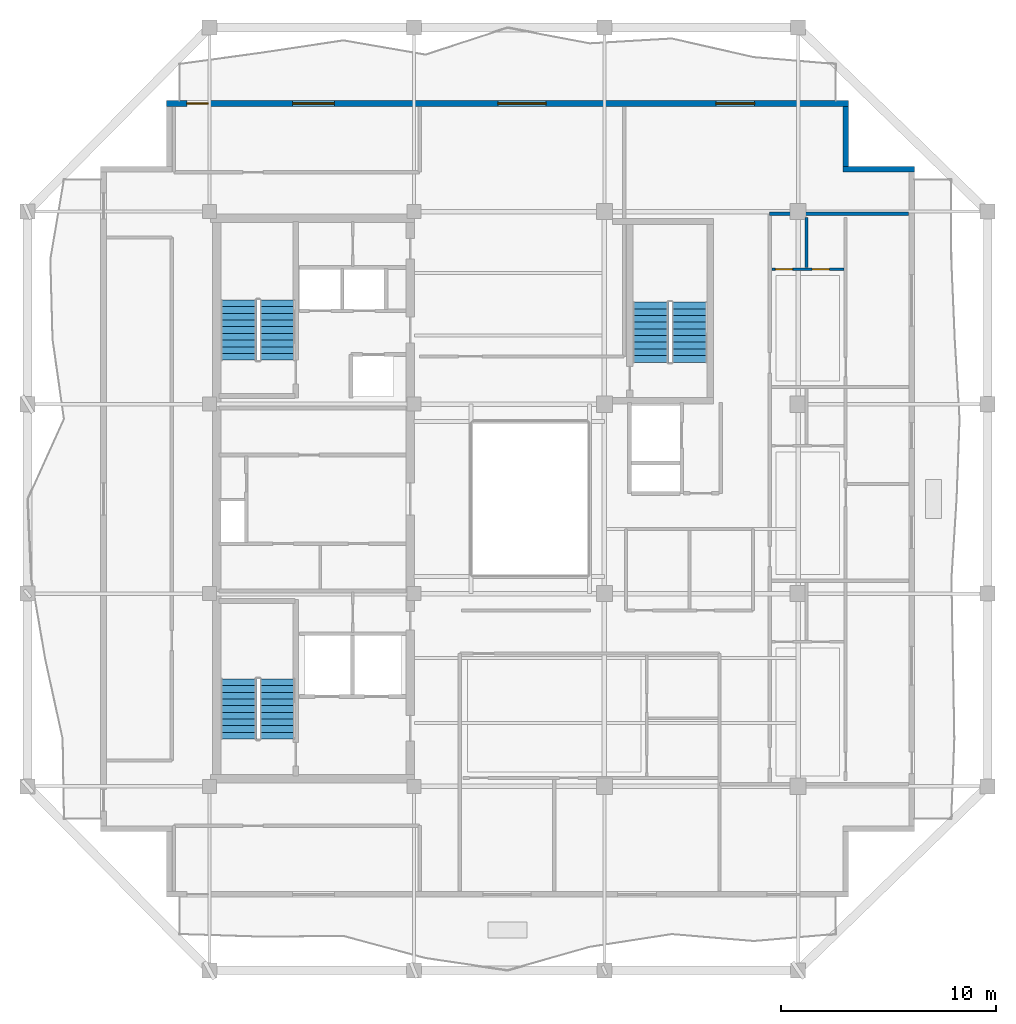
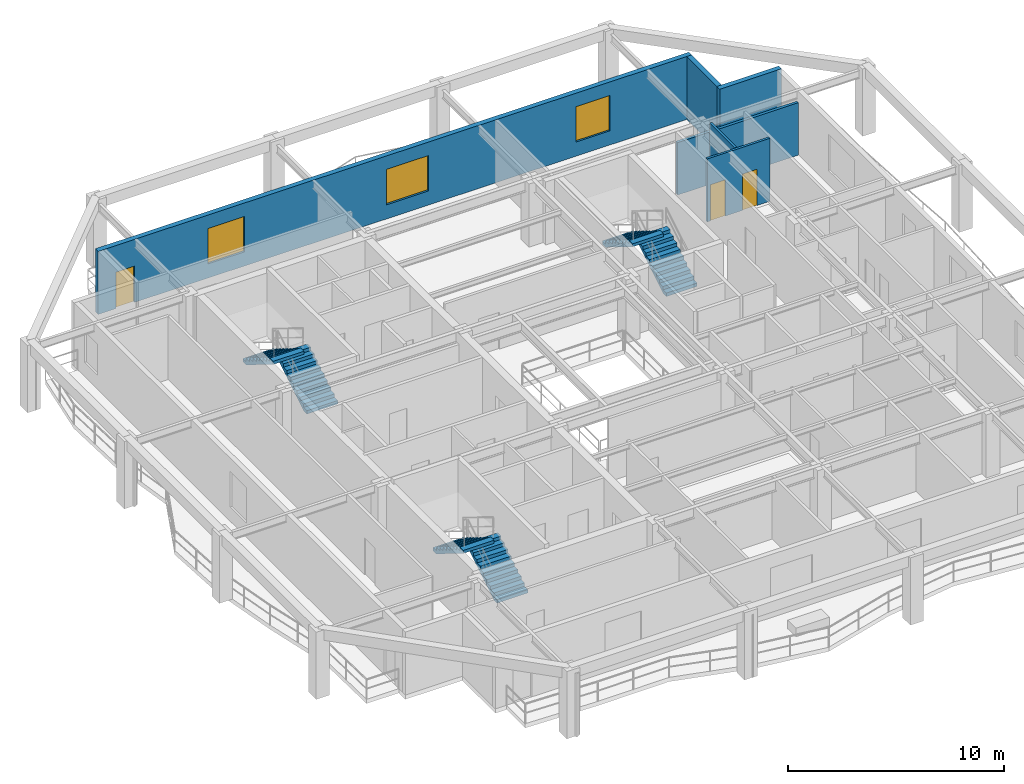
# One storey, part 6 of 10: 6 stair flights, 6 walls, 3 doors, 3 windows, 6 openings, 3 elements without a shape of their own.
"""IFC4 building model written with IfcOpenShell, lengths in metres."""

from ifc_helpers import new_model, si_unit, direction, frame, frame_2d, origin, place, context, subcontext, project, spatial, polyline, rectangle, outline, extrude, material, layer, layer_set, type_object, element, fill, aggregate, save


model = new_model("IFC4")

# Units and contexts
model_context = context("Model", 3, precision=1e-05, world=origin(), true_north=direction((0.0, 1.0)))
body_context = subcontext(model_context, "Body", "Model", "MODEL_VIEW")
ifc_project = project(units=[si_unit("LENGTHUNIT", "METRE"), si_unit("AREAUNIT", "SQUARE_METRE"), si_unit("VOLUMEUNIT", "CUBIC_METRE"), si_unit("PLANEANGLEUNIT", "RADIAN"), si_unit("MASSUNIT", "GRAM", prefix="KILO")], contexts=[model_context])

# Site, building, storey
site_placement = place(None, origin())
site = spatial("IfcSite", under=ifc_project, at=site_placement, CompositionType="ELEMENT")
building_placement = place(site_placement, origin())
building = spatial("IfcBuilding", under=site, at=building_placement, Name="Kundavana Baori Tower", CompositionType="ELEMENT")
storey_placement = place(building_placement, frame((0.0, 0.0, 320.10009765625)))
storey = spatial("IfcBuildingStorey", under=building, at=storey_placement, Name="L79", CompositionType="ELEMENT", Elevation=320.10009765625)

# Walls
ifc_material_1 = material(Name="Kiln-Fired Terracotta Brick-Slip Masonry on Concrete C40/50", Category="masonry")
ifc_layer_1 = layer(ifc_material_1, 0.260009765625, Name="WL-EXT-BRK-260")
ifc_layer_set_1 = layer_set([ifc_layer_1], Name="Kiln-Fired Terracotta Brick-Slip Masonry on Concrete C40/50")
wall_type_1 = type_object("IfcWallType", Name="WL-EXT-BRK-260", PredefinedType="SOLIDWALL", material=ifc_layer_set_1)
wall_1_placement = place(storey_placement, frame((48.199951171875, 43.919921875, 0.0), z_axis=(0.0, 0.0, 1.0), x_axis=(-1.0, 0.0, 0.0)))
element("IfcWall", 1, at=wall_1_placement, inside=storey, type_object=wall_type_1, Name="L79 Exterior Insulated Facade Wall 05", PredefinedType="SOLIDWALL", context=body_context, shape_type="SweptSolid", body=[
    extrude(rectangle(XDim=3.31005859375, YDim=0.260009765625, at=frame_2d((1.655029296875, 0.0))), origin(), (0.0, 0.0, 1.0), 3.559814453125),
])
wall_2_placement = place(storey_placement, frame((45.02001953125, 44.050048828125, 0.0), z_axis=(0.0, 0.0, 1.0), x_axis=(0.0, 1.0, 0.0)))
element("IfcWall", 2, at=wall_2_placement, inside=storey, type_object=wall_type_1, Name="L79 Exterior Insulated Facade Wall 06", PredefinedType="SOLIDWALL", context=body_context, shape_type="SweptSolid", body=[
    extrude(rectangle(XDim=2.7900390625, YDim=0.260009765625, at=frame_2d((1.39501953125, 0.0))), origin(), (0.0, 0.0, 1.0), 3.559814453125),
])

# Wall, openings, door, windows
wall_3_placement = place(storey_placement, frame((45.14990234375, 46.969970703125, 0.0), z_axis=(0.0, 0.0, 1.0), x_axis=(-1.0, 0.0, 0.0)))
wall_3 = element("IfcWall", 3, at=wall_3_placement, inside=storey, type_object=wall_type_1, Name="L79 Exterior Insulated Facade Wall 07", PredefinedType="SOLIDWALL", context=body_context, shape_type="SweptSolid", body=[
    extrude(rectangle(XDim=31.699951171875, YDim=0.260009765625, at=frame_2d((15.85009765625, 0.0))), origin(), (0.0, 0.0, 1.0), 3.559814453125),
])
opening_1_placement = place(wall_3_placement, frame((29.75, 0.0, 0.0)))
opening_1 = element("IfcOpeningElement", 4, at=opening_1_placement, cuts=wall_3, Name="Opening BD-1", PredefinedType="OPENING", context=body_context, shape_type="SweptSolid", body=[
    extrude(rectangle(XDim=1.0, YDim=2.050048828125, at=frame_2d((0.5, 1.02490234375))), frame((0.0, 0.14013671875, 0.0), z_axis=(0.0, -1.0, 0.0), x_axis=(1.0, 0.0, 0.0)), (0.0, 0.0, 1.0), 0.280029296875),
])
opening_2_placement = place(wall_3_placement, frame((23.889892578125, 0.0, 0.800048828125)))
opening_2 = element("IfcOpeningElement", 5, at=opening_2_placement, cuts=wall_3, Name="Opening W-09", PredefinedType="OPENING", context=body_context, shape_type="SweptSolid", body=[
    extrude(rectangle(XDim=1.949951171875, YDim=2.0, at=frame_2d((0.97509765625, 1.0))), frame((0.0, 0.14013671875, 0.0), z_axis=(0.0, -1.0, 0.0), x_axis=(1.0, 0.0, 0.0)), (0.0, 0.0, 1.0), 0.280029296875),
])
opening_3_placement = place(wall_3_placement, frame((14.054931640625, 0.0, 0.800048828125)))
opening_3 = element("IfcOpeningElement", 6, at=opening_3_placement, cuts=wall_3, Name="Opening W-10", PredefinedType="OPENING", context=body_context, shape_type="SweptSolid", body=[
    extrude(rectangle(XDim=2.25, YDim=2.0, at=frame_2d((1.125, 1.0))), frame((0.0, 0.14013671875, 0.0), z_axis=(0.0, -1.0, 0.0), x_axis=(1.0, 0.0, 0.0)), (0.0, 0.0, 1.0), 0.280029296875),
])
opening_4_placement = place(wall_3_placement, frame((4.3701171875, 0.0, 0.800048828125)))
opening_4 = element("IfcOpeningElement", 7, at=opening_4_placement, cuts=wall_3, Name="Opening W-01", PredefinedType="OPENING", context=body_context, shape_type="SweptSolid", body=[
    extrude(rectangle(XDim=1.800048828125, YDim=2.0, at=frame_2d((0.89990234375, 1.0))), frame((0.0, 0.14013671875, 0.0), z_axis=(0.0, -1.0, 0.0), x_axis=(1.0, 0.0, 0.0)), (0.0, 0.0, 1.0), 0.280029296875),
])
ifc_material_2 = material(Name="Architectural Patinated Bronze Metalwork")
door_type_1 = type_object("IfcDoorType", Name="DR-EXT-LOG-1000", OperationType="NOTDEFINED", PredefinedType="DOOR", material=ifc_material_2)
door_1_placement = place(opening_1_placement, frame((1.0, 0.0, 0.0), z_axis=(0.0, 0.0, 1.0), x_axis=(-1.0, 0.0, 0.0)))
door_1 = element("IfcDoor", 8, at=door_1_placement, inside=storey, type_object=door_type_1, Name="L79 Loggia Balcony Access Door N", OperationType="SINGLE_SWING_LEFT", OverallHeight=2.050048828125, OverallWidth=1.0, PredefinedType="DOOR", context=body_context, shape_type="SweptSolid", body=[
    extrude(rectangle(XDim=1.0, YDim=2.050048828125, at=frame_2d((0.5, 1.02490234375))), frame((0.0, 0.02490234375, 0.0), z_axis=(0.0, -1.0, 0.0), x_axis=(1.0, 0.0, 0.0)), (0.0, 0.0, 1.0), 0.050048828125),
])
fill(opening_1, door_1)
ifc_material_3 = material(Name="Double-Glazed Solar-Control Low-E Insulated Glass", Category="glass")
window_type_1 = type_object("IfcWindowType", Name="WIN-LOG-1800x2000", PartitioningType="SINGLE_PANEL", PredefinedType="WINDOW", material=ifc_material_3)
window_1_placement = place(opening_4_placement, origin())
window_1 = element("IfcWindow", 9, at=window_1_placement, inside=storey, type_object=window_type_1, Name="L79 Recessed Loggia Window N-3", OverallHeight=2.0, OverallWidth=1.800048828125, PartitioningType="SINGLE_PANEL", PredefinedType="WINDOW", context=body_context, shape_type="SweptSolid", body=[
    extrude(rectangle(XDim=1.800048828125, YDim=2.0, at=frame_2d((0.89990234375, 1.0))), frame((0.0, 0.030029296875, 0.0), z_axis=(0.0, -1.0, 0.0), x_axis=(1.0, 0.0, 0.0)), (0.0, 0.0, 1.0), 0.06005859375),
])
fill(opening_4, window_1)
ifc_material_4 = material(Name="Double-Glazed Solar-Control Low-E Insulated Glass", Category="glass")
window_type_2 = type_object("IfcWindowType", Name="WIN-LOG-1950x2000", PartitioningType="SINGLE_PANEL", PredefinedType="WINDOW", material=ifc_material_4)
window_2_placement = place(opening_2_placement, origin())
window_2 = element("IfcWindow", 10, at=window_2_placement, inside=storey, type_object=window_type_2, Name="L79 Recessed Loggia Window N-1", OverallHeight=2.0, OverallWidth=1.949951171875, PartitioningType="SINGLE_PANEL", PredefinedType="WINDOW", context=body_context, shape_type="SweptSolid", body=[
    extrude(rectangle(XDim=1.949951171875, YDim=2.0, at=frame_2d((0.97509765625, 1.0))), frame((0.0, 0.030029296875, 0.0), z_axis=(0.0, -1.0, 0.0), x_axis=(1.0, 0.0, 0.0)), (0.0, 0.0, 1.0), 0.06005859375),
])
fill(opening_2, window_2)
ifc_material_5 = material(Name="Double-Glazed Solar-Control Low-E Insulated Glass", Category="glass")
window_type_3 = type_object("IfcWindowType", Name="WIN-LOG-2250x2000", PartitioningType="SINGLE_PANEL", PredefinedType="WINDOW", material=ifc_material_5)
window_3_placement = place(opening_3_placement, origin())
window_3 = element("IfcWindow", 11, at=window_3_placement, inside=storey, type_object=window_type_3, Name="L79 Recessed Loggia Window N-2", OverallHeight=2.0, OverallWidth=2.25, PartitioningType="SINGLE_PANEL", PredefinedType="WINDOW", context=body_context, shape_type="SweptSolid", body=[
    extrude(rectangle(XDim=2.25, YDim=2.0, at=frame_2d((1.125, 1.0))), frame((0.0, 0.030029296875, 0.0), z_axis=(0.0, -1.0, 0.0), x_axis=(1.0, 0.0, 0.0)), (0.0, 0.0, 1.0), 0.06005859375),
])
fill(opening_3, window_3)

# Wall
ifc_material_6 = material(Name="Fire-Rated Gypsum Drywall on Galvanised Steel Studs", Category="steel")
ifc_layer_2 = layer(ifc_material_6, 0.14990234375, Name="WL-PART-150")
ifc_layer_set_2 = layer_set([ifc_layer_2], Name="Fire-Rated Gypsum Drywall on Galvanised Steel Studs")
wall_type_2 = type_object("IfcWallType", Name="WL-PART-150", PredefinedType="PARTITIONING", material=ifc_layer_set_2)
wall_4_placement = place(storey_placement, frame((41.47998046875, 41.85009765625, 0.0), z_axis=(0.0, 0.0, 1.0), x_axis=(1.0, 0.0, 0.0)))
element("IfcWall", 12, at=wall_4_placement, inside=storey, type_object=wall_type_2, Name="WL-L79-REN", PredefinedType="PARTITIONING", context=body_context, shape_type="SweptSolid", body=[
    extrude(rectangle(XDim=6.43994140625, YDim=0.14990234375, at=frame_2d((3.219970703125, 0.0))), origin(), (0.0, 0.0, 1.0), 2.9599609375),
])

# Wall, openings, doors
ifc_material_7 = material(Name="Autoclaved Aerated Concrete Blockwork Masonry", Category="masonry")
ifc_layer_3 = layer(ifc_material_7, 0.125, Name="WL-WET-120")
ifc_layer_set_3 = layer_set([ifc_layer_3], Name="Autoclaved Aerated Concrete Blockwork Masonry")
wall_type_3 = type_object("IfcWallType", Name="WL-WET-120", PredefinedType="PLUMBINGWALL", material=ifc_layer_set_3)
wall_5_placement = place(storey_placement, frame((41.580078125, 39.27001953125, 0.0), z_axis=(0.0, 0.0, 1.0), x_axis=(1.0, 0.0, 0.0)))
wall_5 = element("IfcWall", 13, at=wall_5_placement, inside=storey, type_object=wall_type_3, Name="WL-L79-E3-KH", PredefinedType="PLUMBINGWALL", context=body_context, shape_type="SweptSolid", body=[
    extrude(rectangle(XDim=3.343994140625, YDim=0.125, at=frame_2d((1.671875, 0.0))), origin(), (0.0, 0.0, 1.0), 3.559814453125),
])
opening_5_placement = place(wall_5_placement, frame((0.159912109375, 0.0, 0.0)))
opening_5 = element("IfcOpeningElement", 14, at=opening_5_placement, cuts=wall_5, Name="Opening WD-080", PredefinedType="OPENING", context=body_context, shape_type="SweptSolid", body=[
    extrude(rectangle(XDim=0.800048828125, YDim=2.050048828125, at=frame_2d((0.39990234375, 1.02490234375))), frame((0.0, 0.072509765625, 0.0), z_axis=(0.0, -1.0, 0.0), x_axis=(1.0, 0.0, 0.0)), (0.0, 0.0, 1.0), 0.14501953125),
])
opening_6_placement = place(wall_5_placement, frame((1.864990234375, 0.0, 0.0)))
opening_6 = element("IfcOpeningElement", 15, at=opening_6_placement, cuts=wall_5, Name="Opening WD-080", PredefinedType="OPENING", context=body_context, shape_type="SweptSolid", body=[
    extrude(rectangle(XDim=0.800048828125, YDim=2.050048828125, at=frame_2d((0.39990234375, 1.02490234375))), frame((0.0, 0.072509765625, 0.0), z_axis=(0.0, -1.0, 0.0), x_axis=(1.0, 0.0, 0.0)), (0.0, 0.0, 1.0), 0.14501953125),
])
ifc_material_8 = material(Name="Engineered Teak Solid-Core Timber Veneer", Category="wood")
door_type_2 = type_object("IfcDoorType", Name="DR-WET-800", OperationType="NOTDEFINED", PredefinedType="DOOR", material=ifc_material_8)
door_2_placement = place(opening_5_placement, origin())
door_2 = element("IfcDoor", 16, at=door_2_placement, inside=storey, type_object=door_type_2, Name="DR-L79-E3-BT", OperationType="SINGLE_SWING_LEFT", OverallHeight=2.050048828125, OverallWidth=0.800048828125, PredefinedType="DOOR", context=body_context, shape_type="SweptSolid", body=[
    extrude(rectangle(XDim=0.800048828125, YDim=2.050048828125, at=frame_2d((0.39990234375, 1.02490234375))), frame((0.0, 0.02490234375, 0.0), z_axis=(0.0, -1.0, 0.0), x_axis=(1.0, 0.0, 0.0)), (0.0, 0.0, 1.0), 0.050048828125),
])
fill(opening_5, door_2)
door_3_placement = place(opening_6_placement, origin())
door_3 = element("IfcDoor", 17, at=door_3_placement, inside=storey, type_object=door_type_2, Name="DR-L79-E3-KT", OperationType="SINGLE_SWING_RIGHT", OverallHeight=2.050048828125, OverallWidth=0.800048828125, PredefinedType="DOOR", context=body_context, shape_type="SweptSolid", body=[
    extrude(rectangle(XDim=0.800048828125, YDim=2.050048828125, at=frame_2d((0.39990234375, 1.02490234375))), frame((0.0, 0.02490234375, 0.0), z_axis=(0.0, -1.0, 0.0), x_axis=(1.0, 0.0, 0.0)), (0.0, 0.0, 1.0), 0.050048828125),
])
fill(opening_6, door_3)

# Wall
wall_6_placement = place(storey_placement, frame((43.18505859375, 39.35009765625, 0.0), z_axis=(0.0, 0.0, 1.0), x_axis=(0.0, 1.0, 0.0)))
element("IfcWall", 18, at=wall_6_placement, inside=storey, type_object=wall_type_3, Name="WL-L79-E3-BV", PredefinedType="PLUMBINGWALL", context=body_context, shape_type="SweptSolid", body=[
    extrude(rectangle(XDim=2.31982421875, YDim=0.125, at=frame_2d((1.159912109375, 0.0))), origin(), (0.0, 0.0, 1.0), 3.559814453125),
])

# Stair, stair flights
ifc_material_9 = material(Name="Concrete C40/50", Category="concrete")
stair_type = type_object("IfcStairType", Name="STR-DOG-1650", PredefinedType="HALF_TURN_STAIR", material=ifc_material_9)
stair_1_placement = place(storey_placement, origin())
stair_1 = element("IfcStair", 19, at=stair_1_placement, inside=storey, type_object=stair_type, Name="L79 Protected Exit Stair ST1", PredefinedType="HALF_TURN_STAIR")
ifc_material_10 = material(Name="Concrete C40/50", Category="concrete")
stair_flight_type = type_object("IfcStairFlightType", Name="SFL-RC-1650", PredefinedType="STRAIGHT", material=ifc_material_10)
stair_flight_1_placement = place(storey_placement, frame((18.614990234375, 17.449951171875, 0.0), z_axis=(0.0, 0.0, 1.0), x_axis=(0.0, 1.0, 0.0)))
stair_flight_1 = element("IfcStairFlight", 20, at=stair_flight_1_placement, type_object=stair_flight_type, Name="ST1 flight 1", NumberOfRisers=10, NumberOfTreads=9, PredefinedType="STRAIGHT", RiserHeight=0.19, TreadLength=0.31, context=body_context, shape_type="SweptSolid", body=[
    extrude(outline(polyline([(0.0, 0.0), (0.0, 0.18994140625), (0.31005859375, 0.18994140625), (0.31005859375, 0.3798828125), (0.6201171875, 0.3798828125), (0.6201171875, 0.570068359375), (0.929931640625, 0.570068359375), (0.929931640625, 0.760009765625), (1.239990234375, 0.760009765625), (1.239990234375, 0.949951171875), (1.550048828125, 0.949951171875), (1.550048828125, 1.139892578125), (1.860107421875, 1.139892578125), (1.860107421875, 1.330078125), (2.169921875, 1.330078125), (2.169921875, 1.52001953125), (2.47998046875, 1.52001953125), (2.47998046875, 1.7099609375), (2.7900390625, 1.7099609375), (2.7900390625, 1.89990234375), (2.7900390625, 1.5341796875), (0.286865234375, 0.0), (0.0, 0.0)])), frame((0.0, 0.824951171875, 0.0), z_axis=(0.0, -1.0, 0.0), x_axis=(1.0, 0.0, 0.0)), (0.0, 0.0, 1.0), 1.64990234375),
])
stair_flight_2_placement = place(storey_placement, frame((16.804931640625, 20.239990234375, 1.89990234375), z_axis=(0.0, 0.0, 1.0), x_axis=(0.0, -1.0, 0.0)))
stair_flight_2 = element("IfcStairFlight", 21, at=stair_flight_2_placement, type_object=stair_flight_type, Name="ST1 flight 2", NumberOfRisers=10, NumberOfTreads=9, PredefinedType="STRAIGHT", RiserHeight=0.19, TreadLength=0.31, context=body_context, shape_type="SweptSolid", body=[
    extrude(outline(polyline([(0.0, 0.0), (0.0, 0.18994140625), (0.31005859375, 0.18994140625), (0.31005859375, 0.3798828125), (0.6201171875, 0.3798828125), (0.6201171875, 0.570068359375), (0.929931640625, 0.570068359375), (0.929931640625, 0.760009765625), (1.239990234375, 0.760009765625), (1.239990234375, 0.949951171875), (1.550048828125, 0.949951171875), (1.550048828125, 1.139892578125), (1.860107421875, 1.139892578125), (1.860107421875, 1.330078125), (2.169921875, 1.330078125), (2.169921875, 1.52001953125), (2.47998046875, 1.52001953125), (2.47998046875, 1.7099609375), (2.7900390625, 1.7099609375), (2.7900390625, 1.89990234375), (2.7900390625, 1.5341796875), (0.286865234375, 0.0), (0.0, 0.0)])), frame((0.0, 0.824951171875, 0.0), z_axis=(0.0, -1.0, 0.0), x_axis=(1.0, 0.0, 0.0)), (0.0, 0.0, 1.0), 1.64990234375),
])
aggregate(stair_1, [stair_flight_1, stair_flight_2])

stair_2_placement = place(storey_placement, origin())
stair_2 = element("IfcStair", 22, at=stair_2_placement, inside=storey, type_object=stair_type, Name="L79 Protected Exit Stair ST2", PredefinedType="HALF_TURN_STAIR")
stair_flight_3_placement = place(storey_placement, frame((18.614990234375, 35.050048828125, 0.0), z_axis=(0.0, 0.0, 1.0), x_axis=(0.0, 1.0, 0.0)))
stair_flight_3 = element("IfcStairFlight", 23, at=stair_flight_3_placement, type_object=stair_flight_type, Name="ST2 flight 1", NumberOfRisers=10, NumberOfTreads=9, PredefinedType="STRAIGHT", RiserHeight=0.19, TreadLength=0.31, context=body_context, shape_type="SweptSolid", body=[
    extrude(outline(polyline([(0.0, 0.0), (0.0, 0.18994140625), (0.31005859375, 0.18994140625), (0.31005859375, 0.3798828125), (0.6201171875, 0.3798828125), (0.6201171875, 0.570068359375), (0.929931640625, 0.570068359375), (0.929931640625, 0.760009765625), (1.239990234375, 0.760009765625), (1.239990234375, 0.949951171875), (1.550048828125, 0.949951171875), (1.550048828125, 1.139892578125), (1.860107421875, 1.139892578125), (1.860107421875, 1.330078125), (2.169921875, 1.330078125), (2.169921875, 1.52001953125), (2.47998046875, 1.52001953125), (2.47998046875, 1.7099609375), (2.7900390625, 1.7099609375), (2.7900390625, 1.89990234375), (2.7900390625, 1.5341796875), (0.286865234375, 0.0), (0.0, 0.0)])), frame((0.0, 0.824951171875, 0.0), z_axis=(0.0, -1.0, 0.0), x_axis=(1.0, 0.0, 0.0)), (0.0, 0.0, 1.0), 1.64990234375),
])
stair_flight_4_placement = place(storey_placement, frame((16.804931640625, 37.840087890625, 1.89990234375), z_axis=(0.0, 0.0, 1.0), x_axis=(0.0, -1.0, 0.0)))
stair_flight_4 = element("IfcStairFlight", 24, at=stair_flight_4_placement, type_object=stair_flight_type, Name="ST2 flight 2", NumberOfRisers=10, NumberOfTreads=9, PredefinedType="STRAIGHT", RiserHeight=0.19, TreadLength=0.31, context=body_context, shape_type="SweptSolid", body=[
    extrude(outline(polyline([(0.0, 0.0), (0.0, 0.18994140625), (0.31005859375, 0.18994140625), (0.31005859375, 0.3798828125), (0.6201171875, 0.3798828125), (0.6201171875, 0.570068359375), (0.929931640625, 0.570068359375), (0.929931640625, 0.760009765625), (1.239990234375, 0.760009765625), (1.239990234375, 0.949951171875), (1.550048828125, 0.949951171875), (1.550048828125, 1.139892578125), (1.860107421875, 1.139892578125), (1.860107421875, 1.330078125), (2.169921875, 1.330078125), (2.169921875, 1.52001953125), (2.47998046875, 1.52001953125), (2.47998046875, 1.7099609375), (2.7900390625, 1.7099609375), (2.7900390625, 1.89990234375), (2.7900390625, 1.5341796875), (0.286865234375, 0.0), (0.0, 0.0)])), frame((0.0, 0.824951171875, 0.0), z_axis=(0.0, -1.0, 0.0), x_axis=(1.0, 0.0, 0.0)), (0.0, 0.0, 1.0), 1.64990234375),
])
aggregate(stair_2, [stair_flight_3, stair_flight_4])

stair_3_placement = place(storey_placement, origin())
stair_3 = element("IfcStair", 25, at=stair_3_placement, inside=storey, type_object=stair_type, Name="L79 Protected Exit Stair ST3", PredefinedType="HALF_TURN_STAIR")
stair_flight_5_placement = place(storey_placement, frame((37.7548828125, 34.949951171875, 0.0), z_axis=(0.0, 0.0, 1.0), x_axis=(0.0, 1.0, 0.0)))
stair_flight_5 = element("IfcStairFlight", 26, at=stair_flight_5_placement, type_object=stair_flight_type, Name="ST3 flight 1", NumberOfRisers=10, NumberOfTreads=9, PredefinedType="STRAIGHT", RiserHeight=0.19, TreadLength=0.31, context=body_context, shape_type="SweptSolid", body=[
    extrude(outline(polyline([(0.0, 0.0), (0.0, 0.18994140625), (0.31005859375, 0.18994140625), (0.31005859375, 0.3798828125), (0.6201171875, 0.3798828125), (0.6201171875, 0.570068359375), (0.929931640625, 0.570068359375), (0.929931640625, 0.760009765625), (1.239990234375, 0.760009765625), (1.239990234375, 0.949951171875), (1.550048828125, 0.949951171875), (1.550048828125, 1.139892578125), (1.860107421875, 1.139892578125), (1.860107421875, 1.330078125), (2.169921875, 1.330078125), (2.169921875, 1.52001953125), (2.47998046875, 1.52001953125), (2.47998046875, 1.7099609375), (2.7900390625, 1.7099609375), (2.7900390625, 1.89990234375), (2.7900390625, 1.5341796875), (0.286865234375, 0.0), (0.0, 0.0)])), frame((0.0, 0.824951171875, 0.0), z_axis=(0.0, -1.0, 0.0), x_axis=(1.0, 0.0, 0.0)), (0.0, 0.0, 1.0), 1.64990234375),
])
stair_flight_6_placement = place(storey_placement, frame((35.945068359375, 37.739990234375, 1.89990234375), z_axis=(0.0, 0.0, 1.0), x_axis=(0.0, -1.0, 0.0)))
stair_flight_6 = element("IfcStairFlight", 27, at=stair_flight_6_placement, type_object=stair_flight_type, Name="ST3 flight 2", NumberOfRisers=10, NumberOfTreads=9, PredefinedType="STRAIGHT", RiserHeight=0.19, TreadLength=0.31, context=body_context, shape_type="SweptSolid", body=[
    extrude(outline(polyline([(0.0, 0.0), (0.0, 0.18994140625), (0.31005859375, 0.18994140625), (0.31005859375, 0.3798828125), (0.6201171875, 0.3798828125), (0.6201171875, 0.570068359375), (0.929931640625, 0.570068359375), (0.929931640625, 0.760009765625), (1.239990234375, 0.760009765625), (1.239990234375, 0.949951171875), (1.550048828125, 0.949951171875), (1.550048828125, 1.139892578125), (1.860107421875, 1.139892578125), (1.860107421875, 1.330078125), (2.169921875, 1.330078125), (2.169921875, 1.52001953125), (2.47998046875, 1.52001953125), (2.47998046875, 1.7099609375), (2.7900390625, 1.7099609375), (2.7900390625, 1.89990234375), (2.7900390625, 1.5341796875), (0.286865234375, 0.0), (0.0, 0.0)])), frame((0.0, 0.824951171875, 0.0), z_axis=(0.0, -1.0, 0.0), x_axis=(1.0, 0.0, 0.0)), (0.0, 0.0, 1.0), 1.64990234375),
])
aggregate(stair_3, [stair_flight_5, stair_flight_6])

save(model, "model.ifc")
